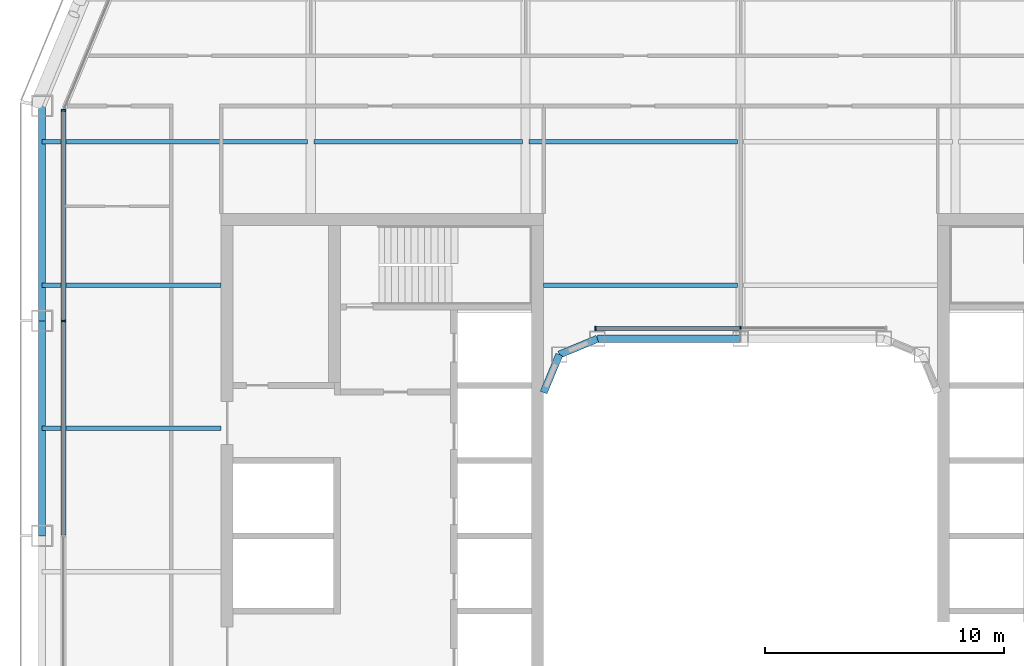
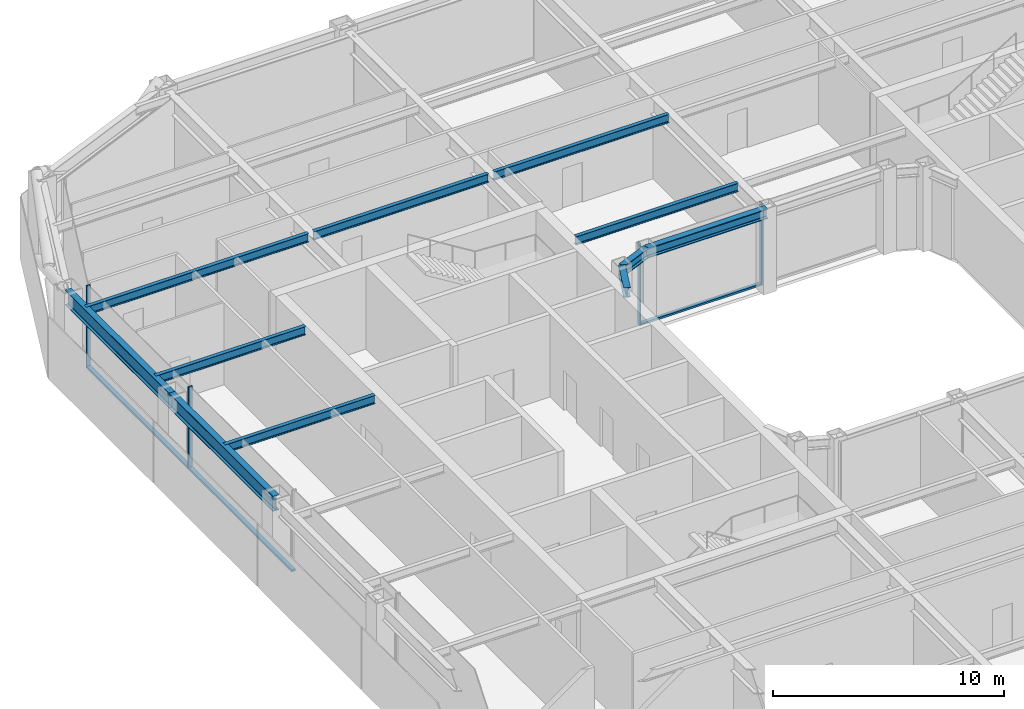
# One storey, part 6 of 21: 11 beams, 7 members, 2 elements without a shape of their own.
"""IFC4 building model written with IfcOpenShell, lengths in metres."""

from ifc_helpers import new_model, si_unit, direction, frame, origin, origin_2d, place, context, subcontext, project, spatial, rectangle, i_section, extrude, material, layer, layer_set, material_profile, profile_set, type_object, element, aggregate, save


model = new_model("IFC4")

# Units and contexts
model_context = context("Model", 3, precision=1e-05, world=origin(), true_north=direction((0.0, 1.0)))
body_context = subcontext(model_context, "Body", "Model", "MODEL_VIEW")
ifc_project = project(units=[si_unit("LENGTHUNIT", "METRE"), si_unit("AREAUNIT", "SQUARE_METRE"), si_unit("VOLUMEUNIT", "CUBIC_METRE"), si_unit("PLANEANGLEUNIT", "RADIAN"), si_unit("MASSUNIT", "GRAM", prefix="KILO")], contexts=[model_context])

# Site, building, storey
site_placement = place(None, origin())
site = spatial("IfcSite", under=ifc_project, at=site_placement, CompositionType="ELEMENT")
building_placement = place(site_placement, origin())
building = spatial("IfcBuilding", under=site, at=building_placement, Name="Siwar Civic Tower", CompositionType="ELEMENT")
storey_placement = place(building_placement, frame((0.0, 0.0, 158.699951171875)))
storey = spatial("IfcBuildingStorey", under=building, at=storey_placement, Name="L34", CompositionType="ELEMENT", Elevation=158.699951171875)

# Curtain wall, members
ifc_material_1 = material(Name="Aluminium and glass", Category="aluminium")
ifc_layer_1 = layer(ifc_material_1, 0.199951171875)
ifc_layer_set_1 = layer_set([ifc_layer_1], Name="Aluminium and glass")
curtain_wall_type_1 = type_object("IfcCurtainWallType", Name="ENV-CW-B", PredefinedType="NOTDEFINED", material=ifc_layer_set_1)
curtain_wall_1_placement = place(storey_placement, origin())
curtain_wall_1 = element("IfcCurtainWall", 1, at=curtain_wall_1_placement, inside=storey, type_object=curtain_wall_type_1, Name="Curtain wall B W", PredefinedType="NOTDEFINED")
ifc_material_2 = material(Name="Aluminium 6063-T6", Category="aluminium")
ifc_material_profile_1 = material_profile(ifc_material_2, rectangle(XDim=0.199951171875, YDim=0.06494140625, at=origin_2d()), Name="AL 200x65")
ifc_profile_set_1 = profile_set([ifc_material_profile_1], Name="Aluminium 6063-T6")
member_type_1 = type_object("IfcMemberType", Name="ENV-MULLION-B", PredefinedType="MULLION", material=ifc_profile_set_1)
member_1_placement = place(storey_placement, frame((-28.35009765625, 17.821044921875, 0.0), z_axis=(0.0, 0.0, 1.0), x_axis=(1.0, 0.0, 0.0)))
member_1 = element("IfcMember", 2, at=member_1_placement, type_object=member_type_1, Name="Mullion B W 1", PredefinedType="MULLION", context=body_context, shape_type="SweptSolid", body=[
    extrude(rectangle(XDim=0.199951171875, YDim=0.06494140625, at=origin_2d()), origin(), (0.0, 0.0, 1.0), 4.35009765625),
])
member_2_placement = place(storey_placement, frame((-28.35009765625, 9.0, 0.0), z_axis=(0.0, 0.0, 1.0), x_axis=(1.0, 0.0, 0.0)))
member_2 = element("IfcMember", 3, at=member_2_placement, type_object=member_type_1, Name="Mullion B W 2", PredefinedType="MULLION", context=body_context, shape_type="SweptSolid", body=[
    extrude(rectangle(XDim=0.199951171875, YDim=0.06494140625, at=origin_2d()), origin(), (0.0, 0.0, 1.0), 4.35009765625),
])

ifc_material_3 = material(Name="Aluminium and glass", Category="aluminium")
ifc_layer_2 = layer(ifc_material_3, 0.179931640625)
ifc_layer_set_2 = layer_set([ifc_layer_2], Name="Aluminium and glass")
curtain_wall_type_2 = type_object("IfcCurtainWallType", Name="ENV-CW-W", PredefinedType="NOTDEFINED", material=ifc_layer_set_2)
curtain_wall_2_placement = place(storey_placement, origin())
curtain_wall_2 = element("IfcCurtainWall", 4, at=curtain_wall_2_placement, inside=storey, type_object=curtain_wall_type_2, Name="Curtain wall W WN", PredefinedType="NOTDEFINED")
ifc_material_4 = material(Name="Aluminium 6063-T6", Category="aluminium")
ifc_material_profile_2 = material_profile(ifc_material_4, rectangle(XDim=0.179931640625, YDim=0.06005859375, at=origin_2d()), Name="AL 180x60")
ifc_profile_set_2 = profile_set([ifc_material_profile_2], Name="Aluminium 6063-T6")
member_type_2 = type_object("IfcMemberType", Name="ENV-MULLION-W", PredefinedType="MULLION", material=ifc_profile_set_2)
member_3_placement = place(storey_placement, frame((0.0, 8.68505859375, 0.0), z_axis=(0.0, 0.0, 1.0), x_axis=(0.0, -1.0, 0.0)))
member_3 = element("IfcMember", 5, at=member_3_placement, type_object=member_type_2, Name="Mullion W WN 2", PredefinedType="MULLION", context=body_context, shape_type="SweptSolid", body=[
    extrude(rectangle(XDim=0.179931640625, YDim=0.06005859375, at=origin_2d()), origin(), (0.0, 0.0, 1.0), 4.35009765625),
])
member_4_placement = place(storey_placement, frame((-6.08642578125, 8.68505859375, 0.0), z_axis=(0.0, 0.0, 1.0), x_axis=(0.0, -1.0, 0.0)))
member_4 = element("IfcMember", 6, at=member_4_placement, type_object=member_type_2, Name="Mullion W WN 3", PredefinedType="MULLION", context=body_context, shape_type="SweptSolid", body=[
    extrude(rectangle(XDim=0.179931640625, YDim=0.06005859375, at=origin_2d()), origin(), (0.0, 0.0, 1.0), 4.35009765625),
])

# Member
ifc_material_5 = material(Name="Aluminium 6063-T6", Category="aluminium")
ifc_material_profile_3 = material_profile(ifc_material_5, rectangle(XDim=0.199951171875, YDim=0.110107421875, at=origin_2d()), Name="AL 200x110")
ifc_profile_set_3 = profile_set([ifc_material_profile_3], Name="Aluminium 6063-T6")
member_type_3 = type_object("IfcMemberType", Name="ENV-TRANSOM-B", PredefinedType="USERDEFINED", material=ifc_profile_set_3)
member_5_placement = place(storey_placement, frame((-28.35009765625, 17.78857421875, 0.054931640625), z_axis=(0.0, -1.0, 0.0), x_axis=(1.0, 0.0, 0.0)))
member_5 = element("IfcMember", 7, at=member_5_placement, type_object=member_type_3, Name="Transom B W 1", ObjectType="TRANSOM", PredefinedType="USERDEFINED", context=body_context, shape_type="SweptSolid", body=[
    extrude(rectangle(XDim=0.199951171875, YDim=0.110107421875, at=origin_2d()), origin(), (0.0, 0.0, 1.0), 8.756103515625),
])

member_6_placement = place(storey_placement, frame((-28.35009765625, 8.967529296875, 0.054931640625), z_axis=(0.0, -1.0, 0.0), x_axis=(1.0, 0.0, 0.0)))
member_6 = element("IfcMember", 8, at=member_6_placement, type_object=member_type_3, Name="Transom B W 2", ObjectType="TRANSOM", PredefinedType="USERDEFINED", context=body_context, shape_type="SweptSolid", body=[
    extrude(rectangle(XDim=0.199951171875, YDim=0.110107421875, at=origin_2d()), origin(), (0.0, 0.0, 1.0), 8.93505859375),
])

aggregate(curtain_wall_1, [member_1, member_2, member_5, member_6])

ifc_material_6 = material(Name="Aluminium 6063-T6", Category="aluminium")
ifc_material_profile_4 = material_profile(ifc_material_6, rectangle(XDim=0.179931640625, YDim=0.10009765625, at=origin_2d()), Name="AL 180x100")
ifc_profile_set_4 = profile_set([ifc_material_profile_4], Name="Aluminium 6063-T6")
member_type_4 = type_object("IfcMemberType", Name="ENV-TRANSOM-W", PredefinedType="USERDEFINED", material=ifc_profile_set_4)
member_7_placement = place(storey_placement, frame((-0.030029296875, 8.68505859375, 0.050048828125), z_axis=(-1.0, 0.0, 0.0), x_axis=(0.0, -1.0, 0.0)))
member_7 = element("IfcMember", 9, at=member_7_placement, type_object=member_type_4, Name="Transom W WN 2", ObjectType="TRANSOM", PredefinedType="USERDEFINED", context=body_context, shape_type="SweptSolid", body=[
    extrude(rectangle(XDim=0.179931640625, YDim=0.10009765625, at=origin_2d()), origin(), (0.0, 0.0, 1.0), 6.026611328125),
])

aggregate(curtain_wall_2, [member_3, member_4, member_7])

# Beams
ifc_material_7 = material(Name="Steel S355", Category="steel")
ifc_material_profile_5 = material_profile(ifc_material_7, i_section(OverallWidth=0.18994140625, OverallDepth=0.449951171875, WebThickness=0.009521484375, FlangeThickness=0.0146484375, FilletRadius=0.02099609375, at=origin_2d()), Name="IPE450")
ifc_profile_set_5 = profile_set([ifc_material_profile_5], Name="Steel S355")
beam_type_1 = type_object("IfcBeamType", Name="STR-FB-IPE450", PredefinedType="JOIST", material=ifc_profile_set_5)
for number, where, z_axis, x_axis, name in (
    (10, (-29.25, 4.5, 4.125), (1.0, 0.0, 0.0), (0.0, 1.0, 0.0), "L34/bm/F025"),
    (11, (-29.25, 10.5, 4.125), (1.0, 0.0, 0.0), (0.0, 1.0, 0.0), "L34/bm/F027"),
):
    element("IfcBeam", number, at=place(storey_placement, frame(where, z_axis=z_axis, x_axis=x_axis)), inside=storey, type_object=beam_type_1, Name=name, PredefinedType="JOIST", context=body_context, shape_type="SweptSolid", body=[
        extrude(i_section(OverallWidth=0.18994140625, OverallDepth=0.449951171875, WebThickness=0.009521484375, FlangeThickness=0.0146484375, FilletRadius=0.02099609375, at=origin_2d()), origin(), (0.0, 0.0, 1.0), 7.5),
    ])
beam_1_placement = place(storey_placement, frame((-8.25, 10.5, 4.125), z_axis=(1.0, 0.0, 0.0), x_axis=(0.0, 1.0, 0.0)))
element("IfcBeam", 12, at=beam_1_placement, inside=storey, type_object=beam_type_1, Name="L34/bm/F028", PredefinedType="JOIST", context=body_context, shape_type="SweptSolid", body=[
    extrude(i_section(OverallWidth=0.18994140625, OverallDepth=0.449951171875, WebThickness=0.009521484375, FlangeThickness=0.0146484375, FilletRadius=0.02099609375, at=origin_2d()), origin(), (0.0, 0.0, 1.0), 8.1201171875),
])
beam_2_placement = place(storey_placement, frame((-29.25, 16.5, 4.125), z_axis=(1.0, 0.0, 0.0), x_axis=(0.0, 1.0, 0.0)))
element("IfcBeam", 13, at=beam_2_placement, inside=storey, type_object=beam_type_1, Name="L34/bm/F031", PredefinedType="JOIST", context=body_context, shape_type="SweptSolid", body=[
    extrude(i_section(OverallWidth=0.18994140625, OverallDepth=0.449951171875, WebThickness=0.009521484375, FlangeThickness=0.0146484375, FilletRadius=0.02099609375, at=origin_2d()), origin(), (0.0, 0.0, 1.0), 11.1201171875),
])
for number, where, z_axis, x_axis, name in (
    (14, (-17.8701171875, 16.5, 4.125), (1.0, 0.0, 0.0), (0.0, 1.0, 0.0), "L34/bm/F032"),
    (15, (-8.8701171875, 16.5, 4.125), (1.0, 0.0, 0.0), (0.0, 1.0, 0.0), "L34/bm/F033"),
):
    element("IfcBeam", number, at=place(storey_placement, frame(where, z_axis=z_axis, x_axis=x_axis)), inside=storey, type_object=beam_type_1, Name=name, PredefinedType="JOIST", context=body_context, shape_type="SweptSolid", body=[
        extrude(i_section(OverallWidth=0.18994140625, OverallDepth=0.449951171875, WebThickness=0.009521484375, FlangeThickness=0.0146484375, FilletRadius=0.02099609375, at=origin_2d()), origin(), (0.0, 0.0, 1.0), 8.740234375),
    ])
ifc_material_8 = material(Name="Steel S355", Category="steel")
ifc_material_profile_6 = material_profile(ifc_material_8, i_section(OverallWidth=0.305908203125, OverallDepth=0.52392578125, WebThickness=0.02099609375, FlangeThickness=0.0400390625, FilletRadius=0.027099609375, at=origin_2d()), Name="HEM500")
ifc_profile_set_6 = profile_set([ifc_material_profile_6], Name="Steel S355")
beam_type_2 = type_object("IfcBeamType", Name="STR-RB-HEM500", PredefinedType="BEAM", material=ifc_profile_set_6)
beam_3_placement = place(storey_placement, frame((-7.591064453125, 7.591064453125, 4.088134765625), z_axis=(0.923901072997, 0.382631424892, 0.0), x_axis=(-0.382631424892, 0.923901072997, 0.0)))
element("IfcBeam", 16, at=beam_3_placement, inside=storey, type_object=beam_type_2, Name="L34/bm/RN0", PredefinedType="BEAM", context=body_context, shape_type="SweptSolid", body=[
    extrude(i_section(OverallWidth=0.305908203125, OverallDepth=0.52392578125, WebThickness=0.02099609375, FlangeThickness=0.0400390625, FilletRadius=0.027099609375, at=origin_2d()), origin(), (0.0, 0.0, 1.0), 1.72216796875),
])
beam_4_placement = place(storey_placement, frame((-6.0, 8.25, 4.088134765625), z_axis=(1.0, 0.0, 0.0), x_axis=(0.0, 1.0, 0.0)))
element("IfcBeam", 17, at=beam_4_placement, inside=storey, type_object=beam_type_2, Name="L34/bm/RN1", PredefinedType="BEAM", context=body_context, shape_type="SweptSolid", body=[
    extrude(i_section(OverallWidth=0.305908203125, OverallDepth=0.52392578125, WebThickness=0.02099609375, FlangeThickness=0.0400390625, FilletRadius=0.027099609375, at=origin_2d()), origin(), (0.0, 0.0, 1.0), 6.0),
])
beam_5_placement = place(storey_placement, frame((-7.591064453125, 7.591064453125, 4.088134765625), z_axis=(-0.382631424892, -0.923901072997, 0.0), x_axis=(0.923901072997, -0.382631424892, 0.0)))
element("IfcBeam", 18, at=beam_5_placement, inside=storey, type_object=beam_type_2, Name="L34/bm/RNEW", PredefinedType="BEAM", context=body_context, shape_type="SweptSolid", body=[
    extrude(i_section(OverallWidth=0.305908203125, OverallDepth=0.52392578125, WebThickness=0.02099609375, FlangeThickness=0.0400390625, FilletRadius=0.027099609375, at=origin_2d()), origin(), (0.0, 0.0, 1.0), 1.72216796875),
])
ifc_material_9 = material(Name="Steel S355", Category="steel")
ifc_material_profile_7 = material_profile(ifc_material_9, i_section(OverallWidth=0.300048828125, OverallDepth=0.800048828125, WebThickness=0.017578125, FlangeThickness=0.032958984375, FilletRadius=0.030029296875, at=origin_2d()), Name="HEB800")
ifc_profile_set_7 = profile_set([ifc_material_profile_7], Name="Steel S355")
beam_type_3 = type_object("IfcBeamType", Name="STR-SB-HEB800", PredefinedType="BEAM", material=ifc_profile_set_7)
for number, where, z_axis, x_axis, name in (
    (19, (-29.25, 18.0, 3.949951171875), (0.0, -1.0, 0.0), (1.0, 0.0, 0.0), "L34/bm/SW-0"),
    (20, (-29.25, 9.0, 3.949951171875), (0.0, -1.0, 0.0), (1.0, 0.0, 0.0), "L34/bm/SW-1"),
):
    element("IfcBeam", number, at=place(storey_placement, frame(where, z_axis=z_axis, x_axis=x_axis)), inside=storey, type_object=beam_type_3, Name=name, PredefinedType="BEAM", context=body_context, shape_type="SweptSolid", body=[
        extrude(i_section(OverallWidth=0.300048828125, OverallDepth=0.800048828125, WebThickness=0.017578125, FlangeThickness=0.032958984375, FilletRadius=0.030029296875, at=origin_2d()), origin(), (0.0, 0.0, 1.0), 9.0),
    ])

save(model, "model.ifc")
